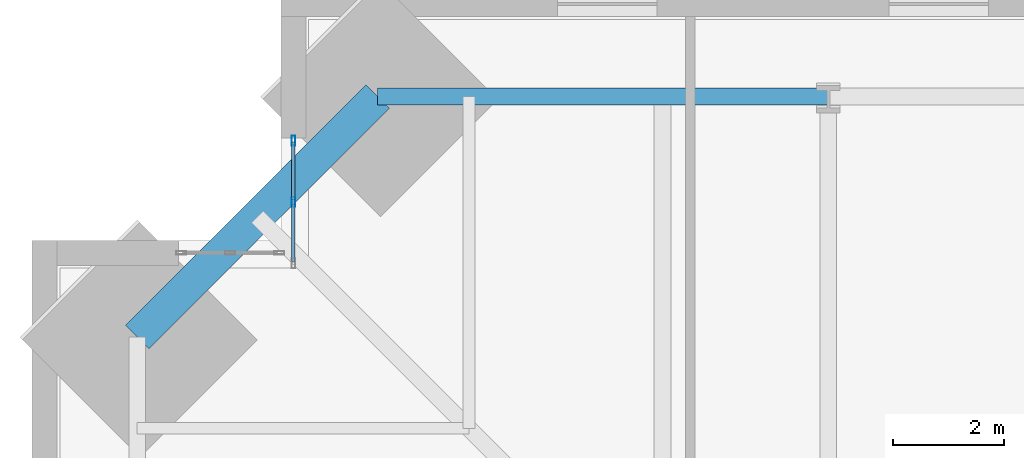
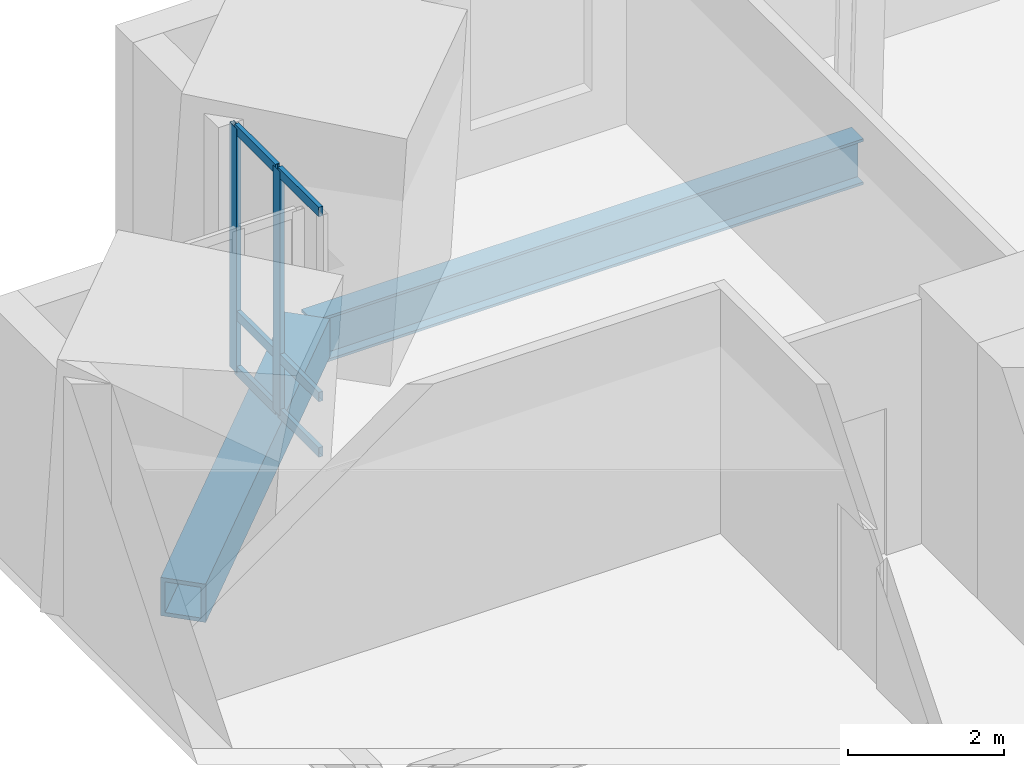
# One storey, part 7 of 17: 8 members, 2 beams, 1 element without a shape of its own.
"""IFC4 building model written with IfcOpenShell, lengths in metres."""

from ifc_helpers import new_model, si_unit, direction, frame, origin, origin_2d, place, context, subcontext, project, spatial, hollow_rectangle, i_section, extrude, material, material_profile, profile_set, type_object, element, aggregate, save


model = new_model("IFC4")

# Units and contexts
model_context = context("Model", 3, precision=1e-05, world=origin(), true_north=direction((0.0, 1.0)))
body_context = subcontext(model_context, "Body", "Model", "MODEL_VIEW")
ifc_project = project(units=[si_unit("LENGTHUNIT", "METRE"), si_unit("AREAUNIT", "SQUARE_METRE"), si_unit("VOLUMEUNIT", "CUBIC_METRE"), si_unit("PLANEANGLEUNIT", "RADIAN"), si_unit("MASSUNIT", "GRAM", prefix="KILO")], contexts=[model_context])

# Site, building, storey
site_placement = place(None, origin())
site = spatial("IfcSite", under=ifc_project, at=site_placement, CompositionType="ELEMENT")
building_placement = place(site_placement, origin())
building = spatial("IfcBuilding", under=site, at=building_placement, Name="Peilmerk Tower", CompositionType="ELEMENT")
storey_placement = place(building_placement, frame((0.0, 0.0, 257.800048828125)))
storey = spatial("IfcBuildingStorey", under=building, at=storey_placement, Name="L57", CompositionType="ELEMENT", Elevation=257.800048828125)

# Beams
ifc_material_1 = material(Name="Steel S460", Category="steel")
ifc_material_profile_1 = material_profile(ifc_material_1, hollow_rectangle(XDim=0.60009765625, YDim=0.60009765625, WallThickness=0.06005859375, at=origin_2d()), Name="BOX 600x600x60")
ifc_profile_set_1 = profile_set([ifc_material_profile_1], Name="Steel S460")
beam_type_1 = type_object("IfcBeamType", Name="B20 BOX 600x600x60 notch beam", PredefinedType="SPANDREL", material=ifc_profile_set_1)
beam_1_placement = place(storey_placement, frame((-20.501708984375, 16.151611328125, -0.469970703125), z_axis=(0.707106781187, 0.707106781187, 0.0), x_axis=(-0.707106781187, 0.707106781187, 0.0)))
element("IfcBeam", 1, at=beam_1_placement, inside=storey, type_object=beam_type_1, Name="Notch beam L57", PredefinedType="SPANDREL", context=body_context, shape_type="SweptSolid", body=[
    extrude(hollow_rectangle(XDim=0.60009765625, YDim=0.60009765625, WallThickness=0.06005859375, at=origin_2d()), origin(), (0.0, 0.0, 1.0), 6.15185546875),
])
ifc_material_2 = material(Name="Steel S355", Category="steel")
ifc_material_profile_2 = material_profile(ifc_material_2, i_section(OverallWidth=0.303955078125, OverallDepth=0.716064453125, WebThickness=0.02099609375, FlangeThickness=0.0400390625, at=origin_2d()), Name="HEM 700")
ifc_profile_set_2 = profile_set([ifc_material_profile_2], Name="Steel S355")
beam_type_2 = type_object("IfcBeamType", Name="B30 HEM 700 edge beam", PredefinedType="SPANDREL", material=ifc_profile_set_2)
beam_2_placement = place(storey_placement, frame((-8.0, 20.501708984375, -0.528076171875), z_axis=(-1.0, 0.0, 0.0), x_axis=(0.0, -1.0, 0.0)))
element("IfcBeam", 2, at=beam_2_placement, inside=storey, type_object=beam_type_2, Name="Edge beam L57", PredefinedType="SPANDREL", context=body_context, shape_type="SweptSolid", body=[
    extrude(i_section(OverallWidth=0.303955078125, OverallDepth=0.716064453125, WebThickness=0.02099609375, FlangeThickness=0.0400390625, at=origin_2d()), origin(), (0.0, 0.0, 1.0), 8.151611328125),
])

# Curtain wall, members
ifc_material_3 = material(Name="Aluminium stick curtain wall", Category="aluminium")
curtain_wall_type = type_object("IfcCurtainWallType", Name="CW4 stick curtain wall, 2250 module", PredefinedType="NOTDEFINED", material=ifc_material_3)
curtain_wall_placement = place(storey_placement, origin())
curtain_wall = element("IfcCurtainWall", 3, at=curtain_wall_placement, inside=storey, type_object=curtain_wall_type, Name="Curtain wall CW4 NWA L57", PredefinedType="NOTDEFINED")
ifc_material_4 = material(Name="Aluminium EN AW-6063 T6", Category="aluminium")
ifc_material_profile_3 = material_profile(ifc_material_4, hollow_rectangle(XDim=0.06494140625, YDim=0.179931640625, WallThickness=0.0029296875, at=origin_2d()), Name="AL 180x65x3")
ifc_profile_set_3 = profile_set([ifc_material_profile_3], Name="Aluminium EN AW-6063 T6")
member_type_1 = type_object("IfcMemberType", Name="CW4-M AL 180x65x3 mullion", PredefinedType="MULLION", material=ifc_profile_set_3)
member_1_placement = place(storey_placement, frame((-17.675048828125, 18.59423828125, 0.0), z_axis=(0.0, 0.0, 1.0), x_axis=(-1.0, 0.0, 0.0)))
member_1 = element("IfcMember", 4, at=member_1_placement, type_object=member_type_1, Name="CW4 mullion 2", PredefinedType="MULLION", context=body_context, shape_type="SweptSolid", body=[
    extrude(hollow_rectangle(XDim=0.06494140625, YDim=0.179931640625, WallThickness=0.0029296875, at=origin_2d()), origin(), (0.0, 0.0, 1.0), 3.829833984375),
])
member_2_placement = place(storey_placement, frame((-17.675048828125, 19.706298828125, 0.0), z_axis=(0.0, 0.0, 1.0), x_axis=(-1.0, 0.0, 0.0)))
member_2 = element("IfcMember", 5, at=member_2_placement, type_object=member_type_1, Name="CW4 mullion 3", PredefinedType="MULLION", context=body_context, shape_type="SweptSolid", body=[
    extrude(hollow_rectangle(XDim=0.06494140625, YDim=0.179931640625, WallThickness=0.0029296875, at=origin_2d()), origin(), (0.0, 0.0, 1.0), 3.829833984375),
])
ifc_material_profile_4 = material_profile(ifc_material_4, hollow_rectangle(XDim=0.06494140625, YDim=0.14990234375, WallThickness=0.0029296875, at=origin_2d()), Name="AL 150x65x3")
ifc_profile_set_4 = profile_set([ifc_material_profile_4], Name="Aluminium EN AW-6063 T6")
member_type_2 = type_object("IfcMemberType", Name="CW4-T AL 150x65x3 transom", PredefinedType="USERDEFINED", material=ifc_profile_set_4)
member_3_placement = place(storey_placement, frame((-17.675048828125, 17.514892578125, 0.032470703125), z_axis=(0.0, 1.0, 0.0), x_axis=(-1.0, 0.0, 0.0)))
member_3 = element("IfcMember", 6, at=member_3_placement, type_object=member_type_2, Name="CW4 transom 1.1", ObjectType="TRANSOM", PredefinedType="USERDEFINED", context=body_context, shape_type="SweptSolid", body=[
    extrude(hollow_rectangle(XDim=0.06494140625, YDim=0.14990234375, WallThickness=0.0029296875, at=origin_2d()), origin(), (0.0, 0.0, 1.0), 1.046875),
])
member_4_placement = place(storey_placement, frame((-17.675048828125, 17.514892578125, 0.89990234375), z_axis=(0.0, 1.0, 0.0), x_axis=(-1.0, 0.0, 0.0)))
member_4 = element("IfcMember", 7, at=member_4_placement, type_object=member_type_2, Name="CW4 transom 1.2", ObjectType="TRANSOM", PredefinedType="USERDEFINED", context=body_context, shape_type="SweptSolid", body=[
    extrude(hollow_rectangle(XDim=0.06494140625, YDim=0.14990234375, WallThickness=0.0029296875, at=origin_2d()), origin(), (0.0, 0.0, 1.0), 1.046875),
])
member_5_placement = place(storey_placement, frame((-17.675048828125, 17.514892578125, 3.79736328125), z_axis=(0.0, 1.0, 0.0), x_axis=(-1.0, 0.0, 0.0)))
member_5 = element("IfcMember", 8, at=member_5_placement, type_object=member_type_2, Name="CW4 transom 1.3", ObjectType="TRANSOM", PredefinedType="USERDEFINED", context=body_context, shape_type="SweptSolid", body=[
    extrude(hollow_rectangle(XDim=0.06494140625, YDim=0.14990234375, WallThickness=0.0029296875, at=origin_2d()), origin(), (0.0, 0.0, 1.0), 1.046875),
])
member_6_placement = place(storey_placement, frame((-17.675048828125, 18.626953125, 0.032470703125), z_axis=(0.0, 1.0, 0.0), x_axis=(-1.0, 0.0, 0.0)))
member_6 = element("IfcMember", 9, at=member_6_placement, type_object=member_type_2, Name="CW4 transom 2.1", ObjectType="TRANSOM", PredefinedType="USERDEFINED", context=body_context, shape_type="SweptSolid", body=[
    extrude(hollow_rectangle(XDim=0.06494140625, YDim=0.14990234375, WallThickness=0.0029296875, at=origin_2d()), origin(), (0.0, 0.0, 1.0), 1.046630859375),
])
member_7_placement = place(storey_placement, frame((-17.675048828125, 18.626953125, 0.89990234375), z_axis=(0.0, 1.0, 0.0), x_axis=(-1.0, 0.0, 0.0)))
member_7 = element("IfcMember", 10, at=member_7_placement, type_object=member_type_2, Name="CW4 transom 2.2", ObjectType="TRANSOM", PredefinedType="USERDEFINED", context=body_context, shape_type="SweptSolid", body=[
    extrude(hollow_rectangle(XDim=0.06494140625, YDim=0.14990234375, WallThickness=0.0029296875, at=origin_2d()), origin(), (0.0, 0.0, 1.0), 1.046630859375),
])
member_8_placement = place(storey_placement, frame((-17.675048828125, 18.626953125, 3.79736328125), z_axis=(0.0, 1.0, 0.0), x_axis=(-1.0, 0.0, 0.0)))
member_8 = element("IfcMember", 11, at=member_8_placement, type_object=member_type_2, Name="CW4 transom 2.3", ObjectType="TRANSOM", PredefinedType="USERDEFINED", context=body_context, shape_type="SweptSolid", body=[
    extrude(hollow_rectangle(XDim=0.06494140625, YDim=0.14990234375, WallThickness=0.0029296875, at=origin_2d()), origin(), (0.0, 0.0, 1.0), 1.046630859375),
])
aggregate(curtain_wall, [member_1, member_2, member_3, member_4, member_5, member_6, member_7, member_8])

save(model, "model.ifc")
